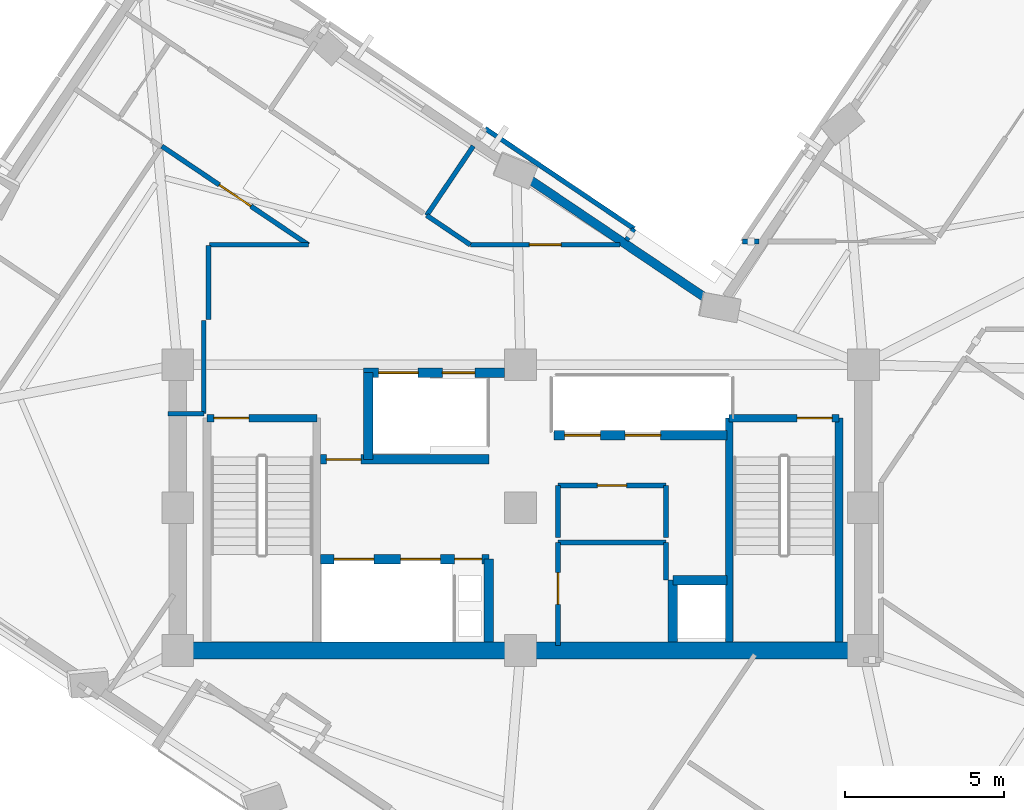
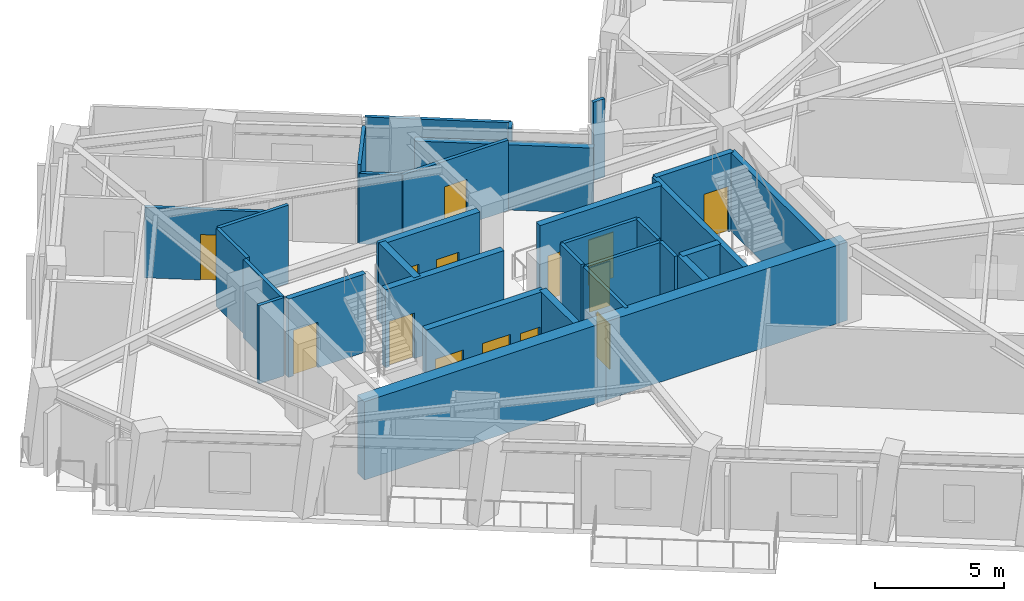
# One storey, part 6 of 14: 32 walls, 14 doors, 14 openings.
"""IFC4 building model written with IfcOpenShell, lengths in metres."""

from ifc_helpers import new_model, si_unit, direction, frame, frame_2d, origin, place, context, subcontext, project, spatial, rectangle, extrude, material, layer, layer_set, type_object, element, fill, save


model = new_model("IFC4")

# Units and contexts
model_context = context("Model", 3, precision=1e-05, world=origin(), true_north=direction((0.0, 1.0)))
body_context = subcontext(model_context, "Body", "Model", "MODEL_VIEW")
ifc_project = project(units=[si_unit("LENGTHUNIT", "METRE"), si_unit("AREAUNIT", "SQUARE_METRE"), si_unit("VOLUMEUNIT", "CUBIC_METRE"), si_unit("PLANEANGLEUNIT", "RADIAN"), si_unit("MASSUNIT", "GRAM", prefix="KILO")], contexts=[model_context])

# Site, building, storey
site_placement = place(None, origin())
site = spatial("IfcSite", under=ifc_project, at=site_placement, CompositionType="ELEMENT")
building_placement = place(site_placement, origin())
building = spatial("IfcBuilding", under=site, at=building_placement, Name="Gaonmaruhae Medical Tower", CompositionType="ELEMENT")
storey_placement = place(building_placement, frame((0.0, 0.0, 263.199951171875)))
storey = spatial("IfcBuildingStorey", under=building, at=storey_placement, Name="L63", CompositionType="ELEMENT", Elevation=263.199951171875)

# Walls
ifc_material_1 = material(Name="Concrete C50/60", Category="concrete")
ifc_layer_1 = layer(ifc_material_1, 0.550048828125)
ifc_layer_set_1 = layer_set([ifc_layer_1], Name="Concrete C50/60")
wall_type_1 = type_object("IfcWallType", Name="CW-550 Mid-High Core Shear Wall", PredefinedType="SHEAR", material=ifc_layer_set_1)
for number, where, z_axis, x_axis, name in (
    (1, (14.0, 7.800048828125, 0.0), (0.0, 0.0, 1.0), (1.0, 0.0, 0.0), "L63 Core Shear Wall CSW-S1"),
    (2, (24.800048828125, 7.800048828125, 0.0), (0.0, 0.0, 1.0), (1.0, 0.0, 0.0), "L63 Core Shear Wall CSW-S2"),
):
    element("IfcWall", number, at=place(storey_placement, frame(where, z_axis=z_axis, x_axis=x_axis)), inside=storey, type_object=wall_type_1, Name=name, PredefinedType="SHEAR", context=body_context, shape_type="SweptSolid", body=[
        extrude(rectangle(XDim=10.800048828125, YDim=0.550048828125, at=frame_2d((5.39990234375, 0.0))), origin(), (0.0, 0.0, 1.0), 3.699951171875),
    ])
ifc_material_2 = material(Name="Precast concrete C45/55", Category="concrete")
ifc_layer_2 = layer(ifc_material_2, 0.280029296875)
ifc_layer_set_2 = layer_set([ifc_layer_2], Name="Precast concrete C45/55")
wall_type_2 = type_object("IfcWallType", Name="EW-280 Upper Precast Masonry-Frame Facade Wall", PredefinedType="SOLIDWALL", material=ifc_layer_set_2)
wall_1_placement = place(storey_placement, frame((25.00537109375, 22.690185546875, 0.0), z_axis=(0.0, 0.0, 1.0), x_axis=(0.829509910624, -0.558491994729, 0.0)))
element("IfcWall", 3, at=wall_1_placement, inside=storey, type_object=wall_type_2, Name="L63 Precast Masonry-Frame Wall KN01-NE01", PredefinedType="SOLIDWALL", context=body_context, shape_type="SweptSolid", body=[
    extrude(rectangle(XDim=6.9580078125, YDim=0.280029296875, at=frame_2d((3.47900390625, 0.0))), origin(), (0.0, 0.0, 1.0), 3.0849609375),
])

# Wall, opening, door
ifc_material_3 = material(Name="Gypsum board partition", Category="gypsum")
ifc_layer_3 = layer(ifc_material_3, 0.14990234375)
ifc_layer_set_3 = layer_set([ifc_layer_3], Name="Gypsum board partition")
wall_type_3 = type_object("IfcWallType", Name="PW-150 Rated Clinical Corridor Partition", PredefinedType="PARTITIONING", material=ifc_layer_set_3)
wall_2_placement = place(storey_placement, frame((25.97998046875, 7.9599609375, 0.0), z_axis=(0.0, 0.0, 1.0), x_axis=(0.0, 1.0, 0.0)))
wall_2 = element("IfcWall", 4, at=wall_2_placement, inside=storey, type_object=wall_type_3, Name="L63 Interior Partition L63-RCL1-1", PredefinedType="PARTITIONING", context=body_context, shape_type="SweptSolid", body=[
    extrude(rectangle(XDim=3.239990234375, YDim=0.14990234375, at=frame_2d((1.6201171875, 0.0))), origin(), (0.0, 0.0, 1.0), 3.699951171875),
])
opening_1_placement = place(wall_2_placement, frame((1.294921875, 0.0, 0.0)))
opening_1 = element("IfcOpeningElement", 5, at=opening_1_placement, cuts=wall_2, Name="Opening CD-01", PredefinedType="OPENING", context=body_context, shape_type="SweptSolid", body=[
    extrude(rectangle(XDim=1.0, YDim=2.1201171875, at=frame_2d((0.5, 1.06005859375))), frame((0.0, 0.0849609375, 0.0), z_axis=(0.0, -1.0, 0.0), x_axis=(1.0, 0.0, 0.0)), (0.0, 0.0, 1.0), 0.169921875),
])
ifc_material_4 = material(Name="Antimicrobial laminate timber fire door", Category="wood")
door_type_1 = type_object("IfcDoorType", Name="CD-01 Consultation & Physician Office Door 1000x2120", OperationType="NOTDEFINED", PredefinedType="DOOR", material=ifc_material_4)
door_1_placement = place(opening_1_placement, origin())
door_1 = element("IfcDoor", 6, at=door_1_placement, inside=storey, type_object=door_type_1, Name="L63 Clinical Telemetry and Medication Room Door", OperationType="SINGLE_SWING_RIGHT", OverallHeight=2.1201171875, OverallWidth=1.0, PredefinedType="DOOR", context=body_context, shape_type="SweptSolid", body=[
    extrude(rectangle(XDim=1.0, YDim=2.1201171875, at=frame_2d((0.5, 1.06005859375))), frame((0.0, 0.02490234375, 0.0), z_axis=(0.0, -1.0, 0.0), x_axis=(1.0, 0.0, 0.0)), (0.0, 0.0, 1.0), 0.050048828125),
])
fill(opening_1, door_1)

# Walls
wall_3_placement = place(storey_placement, frame((25.97998046875, 11.199951171875, 0.0), z_axis=(0.0, 0.0, 1.0), x_axis=(1.0, 0.0, 0.0)))
element("IfcWall", 7, at=wall_3_placement, inside=storey, type_object=wall_type_3, Name="L63 Interior Partition L63-RCL1-2", PredefinedType="PARTITIONING", context=body_context, shape_type="SweptSolid", body=[
    extrude(rectangle(XDim=3.39990234375, YDim=0.14990234375, at=frame_2d((1.699951171875, 0.0))), origin(), (0.0, 0.0, 1.0), 3.699951171875),
])
wall_4_placement = place(storey_placement, frame((29.3798828125, 11.199951171875, 0.0), z_axis=(0.0, 0.0, 1.0), x_axis=(0.0, -1.0, 0.0)))
element("IfcWall", 8, at=wall_4_placement, inside=storey, type_object=wall_type_3, Name="L63 Interior Partition L63-RCL1-3", PredefinedType="PARTITIONING", context=body_context, shape_type="SweptSolid", body=[
    extrude(rectangle(XDim=1.179931640625, YDim=0.14990234375, at=frame_2d((0.58984375, 0.0))), origin(), (0.0, 0.0, 1.0), 3.699951171875),
])
wall_5_placement = place(storey_placement, frame((25.97998046875, 11.360107421875, 0.0), z_axis=(0.0, 0.0, 1.0), x_axis=(0.0, 1.0, 0.0)))
element("IfcWall", 9, at=wall_5_placement, inside=storey, type_object=wall_type_3, Name="L63 Interior Partition L63-CS1-4", PredefinedType="PARTITIONING", context=body_context, shape_type="SweptSolid", body=[
    extrude(rectangle(XDim=1.639892578125, YDim=0.14990234375, at=frame_2d((0.81982421875, 0.0))), origin(), (0.0, 0.0, 1.0), 3.699951171875),
])

# Wall, opening, door
wall_6_placement = place(storey_placement, frame((25.97998046875, 13.0, 0.0), z_axis=(0.0, 0.0, 1.0), x_axis=(1.0, 0.0, 0.0)))
wall_6 = element("IfcWall", 10, at=wall_6_placement, inside=storey, type_object=wall_type_3, Name="L63 Interior Partition L63-CS1-5", PredefinedType="PARTITIONING", context=body_context, shape_type="SweptSolid", body=[
    extrude(rectangle(XDim=3.39990234375, YDim=0.14990234375, at=frame_2d((1.699951171875, 0.0))), origin(), (0.0, 0.0, 1.0), 3.699951171875),
])
opening_2_placement = place(wall_6_placement, frame((1.239990234375, 0.0, 0.0)))
opening_2 = element("IfcOpeningElement", 11, at=opening_2_placement, cuts=wall_6, Name="Opening UD-01", PredefinedType="OPENING", context=body_context, shape_type="SweptSolid", body=[
    extrude(rectangle(XDim=0.919921875, YDim=2.10009765625, at=frame_2d((0.4599609375, 1.050048828125))), frame((0.0, 0.0849609375, 0.0), z_axis=(0.0, -1.0, 0.0), x_axis=(1.0, 0.0, 0.0)), (0.0, 0.0, 1.0), 0.169921875),
])
ifc_material_5 = material(Name="Powder-coated steel utility door", Category="steel")
door_type_2 = type_object("IfcDoorType", Name="UD-01 Toilet, Utility & Housekeeping Door 920x2100", OperationType="NOTDEFINED", PredefinedType="DOOR", material=ifc_material_5)
door_2_placement = place(opening_2_placement, origin())
door_2 = element("IfcDoor", 12, at=door_2_placement, inside=storey, type_object=door_type_2, Name="L63 Accessible Staff Toilet Door", OperationType="SINGLE_SWING_LEFT", OverallHeight=2.10009765625, OverallWidth=0.919921875, PredefinedType="DOOR", context=body_context, shape_type="SweptSolid", body=[
    extrude(rectangle(XDim=0.919921875, YDim=2.10009765625, at=frame_2d((0.4599609375, 1.050048828125))), frame((0.0, 0.02490234375, 0.0), z_axis=(0.0, -1.0, 0.0), x_axis=(1.0, 0.0, 0.0)), (0.0, 0.0, 1.0), 0.050048828125),
])
fill(opening_2, door_2)

# Walls
wall_7_placement = place(storey_placement, frame((29.3798828125, 13.0, 0.0), z_axis=(0.0, 0.0, 1.0), x_axis=(0.0, -1.0, 0.0)))
element("IfcWall", 13, at=wall_7_placement, inside=storey, type_object=wall_type_3, Name="L63 Interior Partition L63-CS1-6", PredefinedType="PARTITIONING", context=body_context, shape_type="SweptSolid", body=[
    extrude(rectangle(XDim=1.639892578125, YDim=0.14990234375, at=frame_2d((0.81982421875, 0.0))), origin(), (0.0, 0.0, 1.0), 3.699951171875),
])
wall_8_placement = place(storey_placement, frame((14.969970703125, 20.550048828125, 0.0), z_axis=(0.0, 0.0, 1.0), x_axis=(0.0, -1.0, 0.0)))
element("IfcWall", 14, at=wall_8_placement, inside=storey, type_object=wall_type_3, Name="L63 Interior Partition L63-WOF09-45", PredefinedType="PARTITIONING", context=body_context, shape_type="SweptSolid", body=[
    extrude(rectangle(XDim=2.320068359375, YDim=0.14990234375, at=frame_2d((1.16015625, 0.0))), origin(), (0.0, 0.0, 1.0), 3.699951171875),
])
wall_9_placement = place(storey_placement, frame((14.820068359375, 18.199951171875, 0.0), z_axis=(0.0, 0.0, 1.0), x_axis=(0.0, -1.0, 0.0)))
element("IfcWall", 15, at=wall_9_placement, inside=storey, type_object=wall_type_3, Name="L63 Interior Partition L63-WOF09-46", PredefinedType="PARTITIONING", context=body_context, shape_type="SweptSolid", body=[
    extrude(rectangle(XDim=2.93994140625, YDim=0.14990234375, at=frame_2d((1.469970703125, 0.0))), origin(), (0.0, 0.0, 1.0), 3.699951171875),
])
wall_10_placement = place(storey_placement, frame((14.820068359375, 15.260009765625, 0.0), z_axis=(0.0, 0.0, 1.0), x_axis=(-1.0, 0.0, 0.0)))
element("IfcWall", 16, at=wall_10_placement, inside=storey, type_object=wall_type_3, Name="L63 Interior Partition L63-WOF09-47", PredefinedType="PARTITIONING", context=body_context, shape_type="SweptSolid", body=[
    extrude(rectangle(XDim=1.1201171875, YDim=0.14990234375, at=frame_2d((0.56005859375, 0.0))), origin(), (0.0, 0.0, 1.0), 3.699951171875),
])

# Wall, opening, door
wall_11_placement = place(storey_placement, frame((13.5009765625, 23.68505859375, 0.0), z_axis=(0.0, 0.0, 1.0), x_axis=(0.829473884123, -0.558545499988, 0.0)))
wall_11 = element("IfcWall", 17, at=wall_11_placement, inside=storey, type_object=wall_type_3, Name="L63 Interior Partition L63-WOF09-52", PredefinedType="PARTITIONING", context=body_context, shape_type="SweptSolid", body=[
    extrude(rectangle(XDim=5.55908203125, YDim=0.14990234375, at=frame_2d((2.779541015625, 0.0))), origin(), (0.0, 0.0, 1.0), 3.3349609375),
])
opening_3_placement = place(wall_11_placement, frame((2.179443359375, 0.0, 0.0)))
opening_3 = element("IfcOpeningElement", 18, at=opening_3_placement, cuts=wall_11, Name="Opening CD-02", PredefinedType="OPENING", context=body_context, shape_type="SweptSolid", body=[
    extrude(rectangle(XDim=1.199951171875, YDim=2.14990234375, at=frame_2d((0.60009765625, 1.074951171875))), frame((0.0, 0.0849609375, 0.0), z_axis=(0.0, -1.0, 0.0), x_axis=(1.0, 0.0, 0.0)), (0.0, 0.0, 1.0), 0.169921875),
])
door_type_3 = type_object("IfcDoorType", Name="CD-02 Clinical Treatment & Procedure Door 1200x2150", OperationType="NOTDEFINED", PredefinedType="DOOR", material=ifc_material_4)
door_3_placement = place(opening_3_placement, origin())
door_3 = element("IfcDoor", 19, at=door_3_placement, inside=storey, type_object=door_type_3, Name="L63 Ward Physician Reporting Office Door", OperationType="SINGLE_SWING_RIGHT", OverallHeight=2.14990234375, OverallWidth=1.199951171875, PredefinedType="DOOR", context=body_context, shape_type="SweptSolid", body=[
    extrude(rectangle(XDim=1.199951171875, YDim=2.14990234375, at=frame_2d((0.60009765625, 1.074951171875))), frame((0.0, 0.02490234375, 0.0), z_axis=(0.0, -1.0, 0.0), x_axis=(1.0, 0.0, 0.0)), (0.0, 0.0, 1.0), 0.050048828125),
])
fill(opening_3, door_3)

# Walls
wall_12_placement = place(storey_placement, frame((18.112060546875, 20.580078125, 0.0), z_axis=(0.0, 0.0, 1.0), x_axis=(-1.0, 0.0, 0.0)))
element("IfcWall", 20, at=wall_12_placement, inside=storey, type_object=wall_type_3, Name="L63 Interior Partition L63-WOF09-53", PredefinedType="PARTITIONING", context=body_context, shape_type="SweptSolid", body=[
    extrude(rectangle(XDim=3.114990234375, YDim=0.14990234375, at=frame_2d((1.5576171875, 0.0))), origin(), (0.0, 0.0, 1.0), 3.699951171875),
])
wall_13_placement = place(storey_placement, frame((32.31494140625, 20.679931640625, 0.0), z_axis=(0.0, 0.0, 1.0), x_axis=(-1.0, 0.0, 0.0)))
element("IfcWall", 21, at=wall_13_placement, inside=storey, type_object=wall_type_3, Name="L63 Interior Partition L63-IE01-57", PredefinedType="PARTITIONING", context=body_context, shape_type="SweptSolid", body=[
    extrude(rectangle(XDim=0.52392578125, YDim=0.14990234375, at=frame_2d((0.261962890625, 0.0))), origin(), (0.0, 0.0, 1.0), 3.699951171875),
])

# Wall, opening, door
wall_14_placement = place(storey_placement, frame((27.93408203125, 20.580078125, 0.0), z_axis=(0.0, 0.0, 1.0), x_axis=(-1.0, 0.0, 0.0)))
wall_14 = element("IfcWall", 22, at=wall_14_placement, inside=storey, type_object=wall_type_3, Name="L63 Interior Partition L63-IN01-69", PredefinedType="PARTITIONING", context=body_context, shape_type="SweptSolid", body=[
    extrude(rectangle(XDim=4.718017578125, YDim=0.14990234375, at=frame_2d((2.35888671875, 0.0))), origin(), (0.0, 0.0, 1.0), 3.3349609375),
])
opening_4_placement = place(wall_14_placement, frame((1.85888671875, 0.0, 0.0)))
opening_4 = element("IfcOpeningElement", 23, at=opening_4_placement, cuts=wall_14, Name="Opening CD-01", PredefinedType="OPENING", context=body_context, shape_type="SweptSolid", body=[
    extrude(rectangle(XDim=1.0, YDim=2.1201171875, at=frame_2d((0.5, 1.06005859375))), frame((0.0, 0.0849609375, 0.0), z_axis=(0.0, -1.0, 0.0), x_axis=(1.0, 0.0, 0.0)), (0.0, 0.0, 1.0), 0.169921875),
])
door_4_placement = place(opening_4_placement, origin())
door_4 = element("IfcDoor", 24, at=door_4_placement, inside=storey, type_object=door_type_1, Name="L63 Physician Consultation Office Door", OperationType="SINGLE_SWING_LEFT", OverallHeight=2.1201171875, OverallWidth=1.0, PredefinedType="DOOR", context=body_context, shape_type="SweptSolid", body=[
    extrude(rectangle(XDim=1.0, YDim=2.1201171875, at=frame_2d((0.5, 1.06005859375))), frame((0.0, 0.02490234375, 0.0), z_axis=(0.0, -1.0, 0.0), x_axis=(1.0, 0.0, 0.0)), (0.0, 0.0, 1.0), 0.050048828125),
])
fill(opening_4, door_4)

# Walls
wall_15_placement = place(storey_placement, frame((23.216064453125, 20.580078125, 0.0), z_axis=(0.0, 0.0, 1.0), x_axis=(-0.82943553456, 0.558602447192, 0.0)))
element("IfcWall", 25, at=wall_15_placement, inside=storey, type_object=wall_type_3, Name="L63 Interior Partition L63-IN01-70", PredefinedType="PARTITIONING", context=body_context, shape_type="SweptSolid", body=[
    extrude(rectangle(XDim=1.65771484375, YDim=0.14990234375, at=frame_2d((0.828857421875, 0.0))), origin(), (0.0, 0.0, 1.0), 3.3349609375),
])
wall_16_placement = place(storey_placement, frame((21.841064453125, 21.506103515625, 0.0), z_axis=(0.0, 0.0, 1.0), x_axis=(0.558308913706, 0.82963314596, 0.0)))
element("IfcWall", 26, at=wall_16_placement, inside=storey, type_object=wall_type_3, Name="L63 Interior Partition L63-IN01-71", PredefinedType="PARTITIONING", context=body_context, shape_type="SweptSolid", body=[
    extrude(rectangle(XDim=2.634765625, YDim=0.14990234375, at=frame_2d((1.3173828125, 0.0))), origin(), (0.0, 0.0, 1.0), 3.699951171875),
])
wall_17_placement = place(storey_placement, frame((23.68310546875, 24.242919921875, 0.0), z_axis=(0.0, 0.0, 1.0), x_axis=(0.829537746858, -0.558450648257, 0.0)))
element("IfcWall", 27, at=wall_17_placement, inside=storey, type_object=wall_type_3, Name="L63 Interior Partition L63-IN01-73", PredefinedType="PARTITIONING", context=body_context, shape_type="SweptSolid", body=[
    extrude(rectangle(XDim=5.65478515625, YDim=0.14990234375, at=frame_2d((2.827392578125, 0.0))), origin(), (0.0, 0.0, 1.0), 3.699951171875),
])
wall_18_placement = place(storey_placement, frame((28.3740234375, 21.0849609375, 0.0), z_axis=(0.0, 0.0, 1.0), x_axis=(-0.558450648257, -0.829537746858, 0.0)))
element("IfcWall", 28, at=wall_18_placement, inside=storey, type_object=wall_type_3, Name="L63 Interior Partition L63-IN01-74", PredefinedType="PARTITIONING", context=body_context, shape_type="SweptSolid", body=[
    extrude(rectangle(XDim=0.43505859375, YDim=0.14990234375, at=frame_2d((0.217529296875, 0.0))), origin(), (0.0, 0.0, 1.0), 3.699951171875),
])

# Wall, opening, door
ifc_layer_4 = layer(ifc_material_1, 0.239990234375)
ifc_layer_set_4 = layer_set([ifc_layer_4], Name="Concrete C50/60")
wall_type_4 = type_object("IfcWallType", Name="SW-240 Dogleg Stair Tight Shaft Wall", PredefinedType="SOLIDWALL", material=ifc_layer_set_4)
wall_19_placement = place(storey_placement, frame((14.919921875, 15.1201171875, 0.0), z_axis=(0.0, 0.0, 1.0), x_axis=(1.0, 0.0, 0.0)))
wall_19 = element("IfcWall", 29, at=wall_19_placement, inside=storey, type_object=wall_type_4, Name="L63 ST-01 Stair Shaft Wall SHW-ST-01-N", PredefinedType="SOLIDWALL", context=body_context, shape_type="SweptSolid", body=[
    extrude(rectangle(XDim=3.4599609375, YDim=0.239990234375, at=frame_2d((1.72998046875, 0.0))), origin(), (0.0, 0.0, 1.0), 3.699951171875),
])
opening_5_placement = place(wall_19_placement, frame((0.219970703125, 0.0, 0.0)))
opening_5 = element("IfcOpeningElement", 30, at=opening_5_placement, cuts=wall_19, Name="Opening FD-01", PredefinedType="OPENING", context=body_context, shape_type="SweptSolid", body=[
    extrude(rectangle(XDim=1.10009765625, YDim=2.14990234375, at=frame_2d((0.550048828125, 1.074951171875))), frame((0.0, 0.1298828125, 0.0), z_axis=(0.0, -1.0, 0.0), x_axis=(1.0, 0.0, 0.0)), (0.0, 0.0, 1.0), 0.260009765625),
])
ifc_material_6 = material(Name="Powder-coated steel fire door", Category="steel")
door_type_4 = type_object("IfcDoorType", Name="FD-01 Escape Stair Protected Fire Door 1100x2150", OperationType="NOTDEFINED", PredefinedType="DOOR", material=ifc_material_6)
door_5_placement = place(opening_5_placement, origin())
door_5 = element("IfcDoor", 31, at=door_5_placement, inside=storey, type_object=door_type_4, Name="L63 ST-01 Protected Escape Stair Door", OperationType="SINGLE_SWING_RIGHT", OverallHeight=2.14990234375, OverallWidth=1.10009765625, PredefinedType="DOOR", context=body_context, shape_type="SweptSolid", body=[
    extrude(rectangle(XDim=1.10009765625, YDim=2.14990234375, at=frame_2d((0.550048828125, 1.074951171875))), frame((0.0, 0.02490234375, 0.0), z_axis=(0.0, -1.0, 0.0), x_axis=(1.0, 0.0, 0.0)), (0.0, 0.0, 1.0), 0.050048828125),
])
fill(opening_5, door_5)

wall_20_placement = place(storey_placement, frame((31.3701171875, 15.1201171875, 0.0), z_axis=(0.0, 0.0, 1.0), x_axis=(1.0, 0.0, 0.0)))
wall_20 = element("IfcWall", 32, at=wall_20_placement, inside=storey, type_object=wall_type_4, Name="L63 ST-02 Stair Shaft Wall SHW-ST-02-N", PredefinedType="SOLIDWALL", context=body_context, shape_type="SweptSolid", body=[
    extrude(rectangle(XDim=3.4599609375, YDim=0.239990234375, at=frame_2d((1.72998046875, 0.0))), origin(), (0.0, 0.0, 1.0), 3.699951171875),
])
opening_6_placement = place(wall_20_placement, frame((2.139892578125, 0.0, 0.0)))
opening_6 = element("IfcOpeningElement", 33, at=opening_6_placement, cuts=wall_20, Name="Opening FD-01", PredefinedType="OPENING", context=body_context, shape_type="SweptSolid", body=[
    extrude(rectangle(XDim=1.10009765625, YDim=2.14990234375, at=frame_2d((0.550048828125, 1.074951171875))), frame((0.0, 0.1298828125, 0.0), z_axis=(0.0, -1.0, 0.0), x_axis=(1.0, 0.0, 0.0)), (0.0, 0.0, 1.0), 0.260009765625),
])
door_6_placement = place(opening_6_placement, origin())
door_6 = element("IfcDoor", 34, at=door_6_placement, inside=storey, type_object=door_type_4, Name="L63 ST-02 Protected Escape Stair Door", OperationType="SINGLE_SWING_LEFT", OverallHeight=2.14990234375, OverallWidth=1.10009765625, PredefinedType="DOOR", context=body_context, shape_type="SweptSolid", body=[
    extrude(rectangle(XDim=1.10009765625, YDim=2.14990234375, at=frame_2d((0.550048828125, 1.074951171875))), frame((0.0, 0.02490234375, 0.0), z_axis=(0.0, -1.0, 0.0), x_axis=(1.0, 0.0, 0.0)), (0.0, 0.0, 1.0), 0.050048828125),
])
fill(opening_6, door_6)

# Walls
for number, where, z_axis, x_axis, name in (
    (35, (34.830078125, 15.1201171875, 0.0), (0.0, 0.0, 1.0), (0.0, -1.0, 0.0), "L63 ST-02 Stair Shaft Wall SHW-ST-02-E"),
    (36, (31.3701171875, 8.074951171875, 0.0), (0.0, 0.0, 1.0), (0.0, 1.0, 0.0), "L63 ST-02 Stair Shaft Wall SHW-ST-02-W"),
):
    element("IfcWall", number, at=place(storey_placement, frame(where, z_axis=z_axis, x_axis=x_axis)), inside=storey, type_object=wall_type_4, Name=name, PredefinedType="SOLIDWALL", context=body_context, shape_type="SweptSolid", body=[
        extrude(rectangle(XDim=7.045166015625, YDim=0.239990234375, at=frame_2d((3.5224609375, 0.0))), origin(), (0.0, 0.0, 1.0), 3.699951171875),
    ])

# Wall, openings, doors
ifc_layer_5 = layer(ifc_material_1, 0.300048828125)
ifc_layer_set_5 = layer_set([ifc_layer_5], Name="Concrete C50/60")
wall_type_5 = type_object("IfcWallType", Name="SW-300 Stair & Lift Hoistway Shaft Wall", PredefinedType="SOLIDWALL", material=ifc_layer_set_5)
wall_21_placement = place(storey_placement, frame((19.85009765625, 16.550048828125, 0.0), z_axis=(0.0, 0.0, 1.0), x_axis=(1.0, 0.0, 0.0)))
wall_21 = element("IfcWall", 37, at=wall_21_placement, inside=storey, type_object=wall_type_5, Name="L63 Core Shear Wall CSW-NB", PredefinedType="SOLIDWALL", context=body_context, shape_type="SweptSolid", body=[
    extrude(rectangle(XDim=4.449951171875, YDim=0.300048828125, at=frame_2d((2.22509765625, 0.0))), origin(), (0.0, 0.0, 1.0), 3.699951171875),
])
opening_7_placement = place(wall_21_placement, frame((0.47509765625, 0.0, 0.0)))
opening_7 = element("IfcOpeningElement", 38, at=opening_7_placement, cuts=wall_21, Name="Opening LD-F1", PredefinedType="OPENING", context=body_context, shape_type="SweptSolid", body=[
    extrude(rectangle(XDim=1.25, YDim=2.179931640625, at=frame_2d((0.625, 1.08984375))), frame((0.0, 0.16015625, 0.0), z_axis=(0.0, -1.0, 0.0), x_axis=(1.0, 0.0, 0.0)), (0.0, 0.0, 1.0), 0.320068359375),
])
opening_8_placement = place(wall_21_placement, frame((2.489990234375, 0.0, 0.0)))
opening_8 = element("IfcOpeningElement", 39, at=opening_8_placement, cuts=wall_21, Name="Opening LD-S1", PredefinedType="OPENING", context=body_context, shape_type="SweptSolid", body=[
    extrude(rectangle(XDim=1.02001953125, YDim=2.1201171875, at=frame_2d((0.510009765625, 1.06005859375))), frame((0.0, 0.16015625, 0.0), z_axis=(0.0, -1.0, 0.0), x_axis=(1.0, 0.0, 0.0)), (0.0, 0.0, 1.0), 0.320068359375),
])
ifc_material_7 = material(Name="Brushed stainless steel 316L landing door", Category="steel")
door_type_5 = type_object("IfcDoorType", Name="LD-F1 Firefighting & Bed Lift Sliding Landing Door 1250x2180", OperationType="NOTDEFINED", PredefinedType="DOOR", material=ifc_material_7)
door_7_placement = place(opening_7_placement, origin())
door_7 = element("IfcDoor", 40, at=door_7_placement, inside=storey, type_object=door_type_5, Name="L63 Service/Bed Lift Landing Door BDL-01", OperationType="DOUBLE_DOOR_SLIDING", OverallHeight=2.179931640625, OverallWidth=1.25, PredefinedType="DOOR", context=body_context, shape_type="SweptSolid", body=[
    extrude(rectangle(XDim=1.25, YDim=2.179931640625, at=frame_2d((0.625, 1.08984375))), frame((0.0, 0.02490234375, 0.0), z_axis=(0.0, -1.0, 0.0), x_axis=(1.0, 0.0, 0.0)), (0.0, 0.0, 1.0), 0.050048828125),
])
fill(opening_7, door_7)
ifc_material_8 = material(Name="Brushed stainless steel 304 landing door", Category="steel")
door_type_6 = type_object("IfcDoorType", Name="LD-S1 Service Lift Sliding Landing Door 1020x2120", OperationType="NOTDEFINED", PredefinedType="DOOR", material=ifc_material_8)
door_8_placement = place(opening_8_placement, origin())
door_8 = element("IfcDoor", 41, at=door_8_placement, inside=storey, type_object=door_type_6, Name="L63 Service/Bed Lift Landing Door SVL-01", OperationType="SLIDING_TO_LEFT", OverallHeight=2.1201171875, OverallWidth=1.02001953125, PredefinedType="DOOR", context=body_context, shape_type="SweptSolid", body=[
    extrude(rectangle(XDim=1.02001953125, YDim=2.1201171875, at=frame_2d((0.510009765625, 1.06005859375))), frame((0.0, 0.02490234375, 0.0), z_axis=(0.0, -1.0, 0.0), x_axis=(1.0, 0.0, 0.0)), (0.0, 0.0, 1.0), 0.050048828125),
])
fill(opening_8, door_8)

wall_22_placement = place(storey_placement, frame((18.5, 10.679931640625, 0.0), z_axis=(0.0, 0.0, 1.0), x_axis=(1.0, 0.0, 0.0)))
wall_22 = element("IfcWall", 42, at=wall_22_placement, inside=storey, type_object=wall_type_5, Name="L63 Shaft Enclosure Wall SHW-FFN", PredefinedType="SOLIDWALL", context=body_context, shape_type="SweptSolid", body=[
    extrude(rectangle(XDim=5.300048828125, YDim=0.300048828125, at=frame_2d((2.64990234375, 0.0))), origin(), (0.0, 0.0, 1.0), 3.699951171875),
])
opening_9_placement = place(wall_22_placement, frame((4.219970703125, 0.0, 0.0)))
opening_9 = element("IfcOpeningElement", 43, at=opening_9_placement, cuts=wall_22, Name="Opening AD-01", PredefinedType="OPENING", context=body_context, shape_type="SweptSolid", body=[
    extrude(rectangle(XDim=0.860107421875, YDim=2.06005859375, at=frame_2d((0.43017578125, 1.030029296875))), frame((0.0, 0.16015625, 0.0), z_axis=(0.0, -1.0, 0.0), x_axis=(1.0, 0.0, 0.0)), (0.0, 0.0, 1.0), 0.320068359375),
])
opening_10_placement = place(wall_22_placement, frame((0.425048828125, 0.0, 0.0)))
opening_10 = element("IfcOpeningElement", 44, at=opening_10_placement, cuts=wall_22, Name="Opening LD-F1", PredefinedType="OPENING", context=body_context, shape_type="SweptSolid", body=[
    extrude(rectangle(XDim=1.25, YDim=2.179931640625, at=frame_2d((0.625, 1.08984375))), frame((0.0, 0.16015625, 0.0), z_axis=(0.0, -1.0, 0.0), x_axis=(1.0, 0.0, 0.0)), (0.0, 0.0, 1.0), 0.320068359375),
])
opening_11_placement = place(wall_22_placement, frame((2.52490234375, 0.0, 0.0)))
opening_11 = element("IfcOpeningElement", 45, at=opening_11_placement, cuts=wall_22, Name="Opening LD-F1", PredefinedType="OPENING", context=body_context, shape_type="SweptSolid", body=[
    extrude(rectangle(XDim=1.25, YDim=2.179931640625, at=frame_2d((0.625, 1.08984375))), frame((0.0, 0.16015625, 0.0), z_axis=(0.0, -1.0, 0.0), x_axis=(1.0, 0.0, 0.0)), (0.0, 0.0, 1.0), 0.320068359375),
])
ifc_material_9 = material(Name="Powder-coated steel access door", Category="steel")
door_type_7 = type_object("IfcDoorType", Name="AD-01 Riser & Closet Access Fire Door 860x2060", OperationType="NOTDEFINED", PredefinedType="DOOR", material=ifc_material_9)
door_9_placement = place(opening_9_placement, origin())
door_9 = element("IfcDoor", 46, at=door_9_placement, inside=storey, type_object=door_type_7, Name="L63 Medical Gas and MEP Riser Access Door", OperationType="SINGLE_SWING_RIGHT", OverallHeight=2.06005859375, OverallWidth=0.860107421875, PredefinedType="DOOR", context=body_context, shape_type="SweptSolid", body=[
    extrude(rectangle(XDim=0.860107421875, YDim=2.06005859375, at=frame_2d((0.43017578125, 1.030029296875))), frame((0.0, 0.02490234375, 0.0), z_axis=(0.0, -1.0, 0.0), x_axis=(1.0, 0.0, 0.0)), (0.0, 0.0, 1.0), 0.050048828125),
])
fill(opening_9, door_9)
door_10_placement = place(opening_10_placement, origin())
door_10 = element("IfcDoor", 47, at=door_10_placement, inside=storey, type_object=door_type_5, Name="L63 Firefighting Lift Landing Door FFL-01", OperationType="DOUBLE_DOOR_SLIDING", OverallHeight=2.179931640625, OverallWidth=1.25, PredefinedType="DOOR", context=body_context, shape_type="SweptSolid", body=[
    extrude(rectangle(XDim=1.25, YDim=2.179931640625, at=frame_2d((0.625, 1.08984375))), frame((0.0, 0.02490234375, 0.0), z_axis=(0.0, -1.0, 0.0), x_axis=(1.0, 0.0, 0.0)), (0.0, 0.0, 1.0), 0.050048828125),
])
fill(opening_10, door_10)
door_11_placement = place(opening_11_placement, origin())
door_11 = element("IfcDoor", 48, at=door_11_placement, inside=storey, type_object=door_type_5, Name="L63 Firefighting Lift Landing Door FFL-02", OperationType="DOUBLE_DOOR_SLIDING", OverallHeight=2.179931640625, OverallWidth=1.25, PredefinedType="DOOR", context=body_context, shape_type="SweptSolid", body=[
    extrude(rectangle(XDim=1.25, YDim=2.179931640625, at=frame_2d((0.625, 1.08984375))), frame((0.0, 0.02490234375, 0.0), z_axis=(0.0, -1.0, 0.0), x_axis=(1.0, 0.0, 0.0)), (0.0, 0.0, 1.0), 0.050048828125),
])
fill(opening_11, door_11)

# Wall, opening, door
wall_23_placement = place(storey_placement, frame((18.5, 13.820068359375, 0.0), z_axis=(0.0, 0.0, 1.0), x_axis=(1.0, 0.0, 0.0)))
wall_23 = element("IfcWall", 49, at=wall_23_placement, inside=storey, type_object=wall_type_5, Name="L63 Shaft Enclosure Wall SHW-FFL", PredefinedType="SOLIDWALL", context=body_context, shape_type="SweptSolid", body=[
    extrude(rectangle(XDim=5.300048828125, YDim=0.300048828125, at=frame_2d((2.64990234375, 0.0))), origin(), (0.0, 0.0, 1.0), 3.699951171875),
])
opening_12_placement = place(wall_23_placement, frame((0.179931640625, 0.0, 0.0)))
opening_12 = element("IfcOpeningElement", 50, at=opening_12_placement, cuts=wall_23, Name="Opening FD-01", PredefinedType="OPENING", context=body_context, shape_type="SweptSolid", body=[
    extrude(rectangle(XDim=1.10009765625, YDim=2.14990234375, at=frame_2d((0.550048828125, 1.074951171875))), frame((0.0, 0.16015625, 0.0), z_axis=(0.0, -1.0, 0.0), x_axis=(1.0, 0.0, 0.0)), (0.0, 0.0, 1.0), 0.320068359375),
])
door_12_placement = place(opening_12_placement, origin())
door_12 = element("IfcDoor", 51, at=door_12_placement, inside=storey, type_object=door_type_4, Name="L63 Firefighting Lobby Smoke Door", OperationType="SINGLE_SWING_LEFT", OverallHeight=2.14990234375, OverallWidth=1.10009765625, PredefinedType="DOOR", context=body_context, shape_type="SweptSolid", body=[
    extrude(rectangle(XDim=1.10009765625, YDim=2.14990234375, at=frame_2d((0.550048828125, 1.074951171875))), frame((0.0, 0.02490234375, 0.0), z_axis=(0.0, -1.0, 0.0), x_axis=(1.0, 0.0, 0.0)), (0.0, 0.0, 1.0), 0.050048828125),
])
fill(opening_12, door_12)

# Walls
wall_24_placement = place(storey_placement, frame((23.800048828125, 8.074951171875, 0.0), z_axis=(0.0, 0.0, 1.0), x_axis=(0.0, 1.0, 0.0)))
element("IfcWall", 52, at=wall_24_placement, inside=storey, type_object=wall_type_5, Name="L63 Shaft Enclosure Wall SHW-FFE", PredefinedType="SOLIDWALL", context=body_context, shape_type="SweptSolid", body=[
    extrude(rectangle(XDim=2.60498046875, YDim=0.300048828125, at=frame_2d((1.302490234375, 0.0))), origin(), (0.0, 0.0, 1.0), 3.699951171875),
])
wall_25_placement = place(storey_placement, frame((20.0, 13.820068359375, 0.0), z_axis=(0.0, 0.0, 1.0), x_axis=(0.0, 1.0, 0.0)))
element("IfcWall", 53, at=wall_25_placement, inside=storey, type_object=wall_type_5, Name="L63 Shaft Enclosure Wall SHW-BDW", PredefinedType="SOLIDWALL", context=body_context, shape_type="SweptSolid", body=[
    extrude(rectangle(XDim=2.72998046875, YDim=0.300048828125, at=frame_2d((1.364990234375, 0.0))), origin(), (0.0, 0.0, 1.0), 3.699951171875),
])
wall_26_placement = place(storey_placement, frame((29.60009765625, 10.02001953125, 0.0), z_axis=(0.0, 0.0, 1.0), x_axis=(1.0, 0.0, 0.0)))
element("IfcWall", 54, at=wall_26_placement, inside=storey, type_object=wall_type_5, Name="L63 Shaft Enclosure Wall SHW-PLS", PredefinedType="SOLIDWALL", context=body_context, shape_type="SweptSolid", body=[
    extrude(rectangle(XDim=1.699951171875, YDim=0.300048828125, at=frame_2d((0.85009765625, 0.0))), origin(), (0.0, 0.0, 1.0), 3.699951171875),
])
wall_27_placement = place(storey_placement, frame((29.60009765625, 8.074951171875, 0.0), z_axis=(0.0, 0.0, 1.0), x_axis=(0.0, 1.0, 0.0)))
element("IfcWall", 55, at=wall_27_placement, inside=storey, type_object=wall_type_5, Name="L63 Shaft Enclosure Wall SHW-PLD1", PredefinedType="SOLIDWALL", context=body_context, shape_type="SweptSolid", body=[
    extrude(rectangle(XDim=1.945068359375, YDim=0.300048828125, at=frame_2d((0.97265625, 0.0))), origin(), (0.0, 0.0, 1.0), 3.699951171875),
])

# Wall, openings, doors
wall_28_placement = place(storey_placement, frame((25.85009765625, 14.580078125, 0.0), z_axis=(0.0, 0.0, 1.0), x_axis=(1.0, 0.0, 0.0)))
wall_28 = element("IfcWall", 56, at=wall_28_placement, inside=storey, type_object=wall_type_5, Name="L63 Shaft Enclosure Wall SHW-PLN", PredefinedType="SOLIDWALL", context=body_context, shape_type="SweptSolid", body=[
    extrude(rectangle(XDim=5.449951171875, YDim=0.300048828125, at=frame_2d((2.72509765625, 0.0))), origin(), (0.0, 0.0, 1.0), 3.699951171875),
])
opening_13_placement = place(wall_28_placement, frame((0.340087890625, 0.0, 0.0)))
opening_13 = element("IfcOpeningElement", 57, at=opening_13_placement, cuts=wall_28, Name="Opening LD-P1", PredefinedType="OPENING", context=body_context, shape_type="SweptSolid", body=[
    extrude(rectangle(XDim=1.1201171875, YDim=2.14990234375, at=frame_2d((0.56005859375, 1.074951171875))), frame((0.0, 0.16015625, 0.0), z_axis=(0.0, -1.0, 0.0), x_axis=(1.0, 0.0, 0.0)), (0.0, 0.0, 1.0), 0.320068359375),
])
opening_14_placement = place(wall_28_placement, frame((2.239990234375, 0.0, 0.0)))
opening_14 = element("IfcOpeningElement", 58, at=opening_14_placement, cuts=wall_28, Name="Opening LD-P1", PredefinedType="OPENING", context=body_context, shape_type="SweptSolid", body=[
    extrude(rectangle(XDim=1.1201171875, YDim=2.14990234375, at=frame_2d((0.56005859375, 1.074951171875))), frame((0.0, 0.16015625, 0.0), z_axis=(0.0, -1.0, 0.0), x_axis=(1.0, 0.0, 0.0)), (0.0, 0.0, 1.0), 0.320068359375),
])
door_type_8 = type_object("IfcDoorType", Name="LD-P1 Passenger Lift Sliding Landing Door 1120x2150", OperationType="NOTDEFINED", PredefinedType="DOOR", material=ifc_material_8)
door_13_placement = place(opening_13_placement, origin())
door_13 = element("IfcDoor", 59, at=door_13_placement, inside=storey, type_object=door_type_8, Name="L63 Passenger Lift Landing Door PL-M1", OperationType="DOUBLE_DOOR_SLIDING", OverallHeight=2.14990234375, OverallWidth=1.1201171875, PredefinedType="DOOR", context=body_context, shape_type="SweptSolid", body=[
    extrude(rectangle(XDim=1.1201171875, YDim=2.14990234375, at=frame_2d((0.56005859375, 1.074951171875))), frame((0.0, 0.02490234375, 0.0), z_axis=(0.0, -1.0, 0.0), x_axis=(1.0, 0.0, 0.0)), (0.0, 0.0, 1.0), 0.050048828125),
])
fill(opening_13, door_13)
door_14_placement = place(opening_14_placement, origin())
door_14 = element("IfcDoor", 60, at=door_14_placement, inside=storey, type_object=door_type_8, Name="L63 Passenger Lift Landing Door PL-M2", OperationType="DOUBLE_DOOR_SLIDING", OverallHeight=2.14990234375, OverallWidth=1.1201171875, PredefinedType="DOOR", context=body_context, shape_type="SweptSolid", body=[
    extrude(rectangle(XDim=1.1201171875, YDim=2.14990234375, at=frame_2d((0.56005859375, 1.074951171875))), frame((0.0, 0.02490234375, 0.0), z_axis=(0.0, -1.0, 0.0), x_axis=(1.0, 0.0, 0.0)), (0.0, 0.0, 1.0), 0.050048828125),
])
fill(opening_14, door_14)

save(model, "model.ifc")
